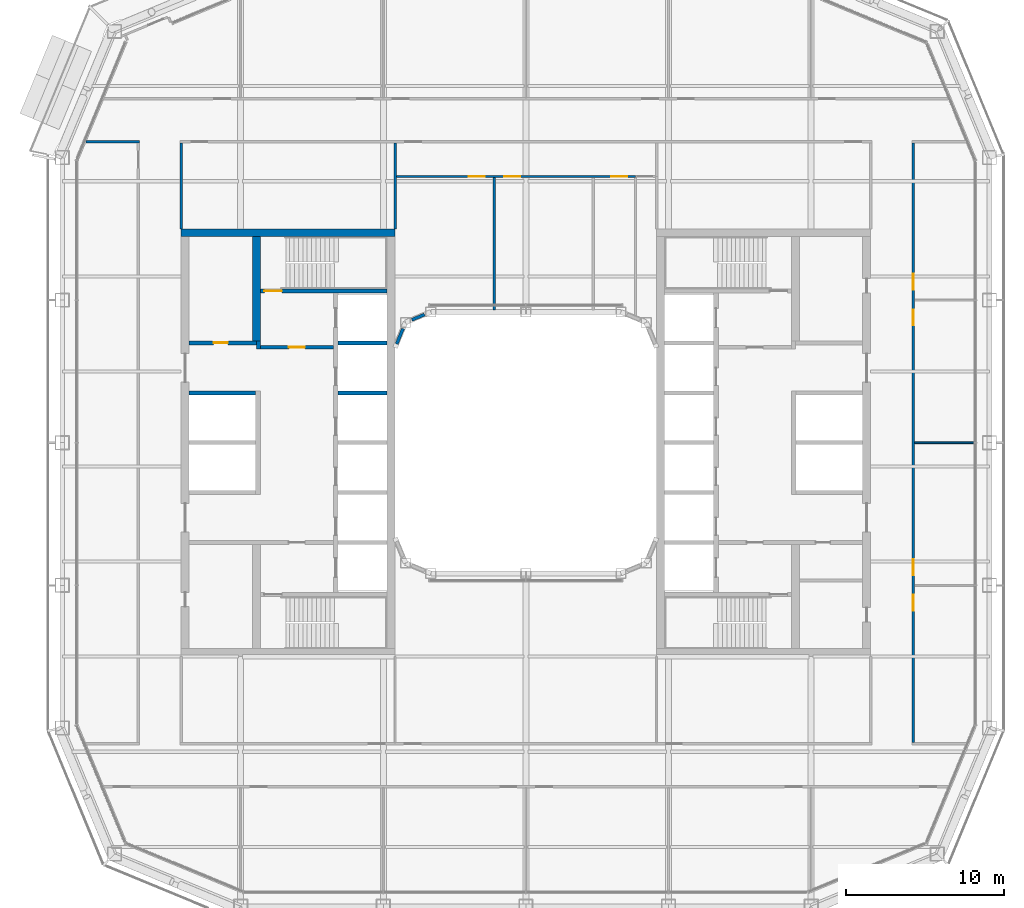
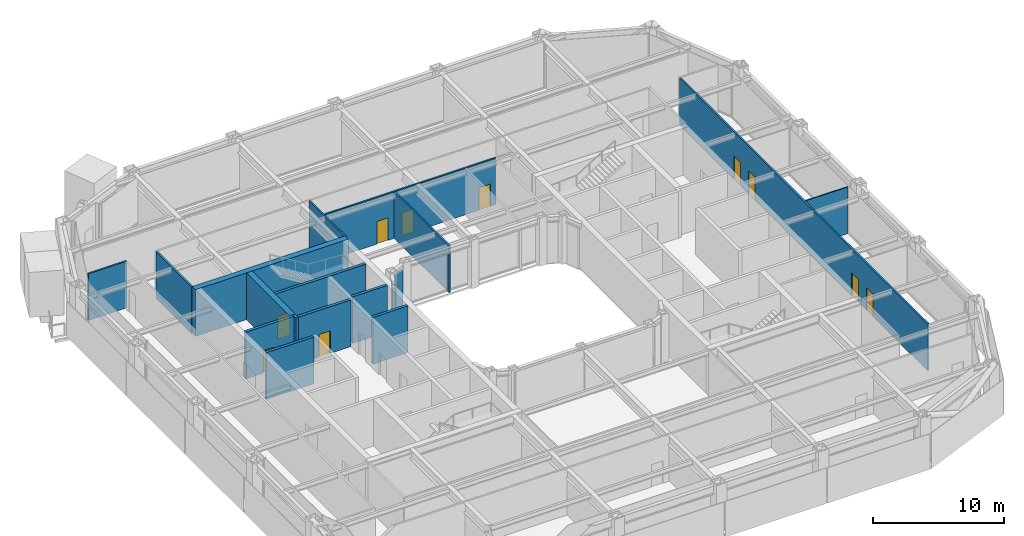
# One storey, part 13 of 23: 18 walls, 10 doors, 10 openings.
"""IFC4 building model written with IfcOpenShell, lengths in metres."""

from ifc_helpers import new_model, si_unit, direction, frame, frame_2d, origin, place, context, subcontext, project, spatial, rectangle, extrude, material, layer, layer_set, type_object, element, fill, save


model = new_model("IFC4")

# Units and contexts
model_context = context("Model", 3, precision=1e-05, world=origin(), true_north=direction((0.0, 1.0)))
body_context = subcontext(model_context, "Body", "Model", "MODEL_VIEW")
ifc_project = project(units=[si_unit("LENGTHUNIT", "METRE"), si_unit("AREAUNIT", "SQUARE_METRE"), si_unit("VOLUMEUNIT", "CUBIC_METRE"), si_unit("PLANEANGLEUNIT", "RADIAN"), si_unit("MASSUNIT", "GRAM", prefix="KILO")], contexts=[model_context])

# Site, building, storey
site_placement = place(None, origin())
site = spatial("IfcSite", under=ifc_project, at=site_placement, CompositionType="ELEMENT")
building_placement = place(site_placement, origin())
building = spatial("IfcBuilding", under=site, at=building_placement, Name="Siwar Civic Tower", CompositionType="ELEMENT")
storey_placement = place(building_placement, frame((0.0, 0.0, 172.199951171875)))
storey = spatial("IfcBuildingStorey", under=building, at=storey_placement, Name="L37", CompositionType="ELEMENT", Elevation=172.199951171875)

# Wall, opening, door
ifc_material_1 = material(Name="Concrete C60/75", Category="concrete")
ifc_layer_1 = layer(ifc_material_1, 0.25)
ifc_layer_set_1 = layer_set([ifc_layer_1], Name="Concrete C60/75")
wall_type_1 = type_object("IfcWallType", Name="CORE-WALL-RC250", PredefinedType="SHEAR", material=ifc_layer_set_1)
wall_1_placement = place(storey_placement, frame((-12.14990234375, 6.02490234375, 0.0), z_axis=(0.0, 0.0, 1.0), x_axis=(-1.0, 0.0, 0.0)))
wall_1 = element("IfcWall", 1, at=wall_1_placement, inside=storey, type_object=wall_type_1, Name="Core wall W", PredefinedType="SHEAR", context=body_context, shape_type="SweptSolid", body=[
    extrude(rectangle(XDim=4.60009765625, YDim=0.25, at=frame_2d((2.300048828125, 0.0))), origin(), (0.0, 0.0, 1.0), 4.35009765625),
])
opening_1_placement = place(wall_1_placement, frame((1.800048828125, 0.0, 0.0)))
opening_1 = element("IfcOpeningElement", 2, at=opening_1_placement, cuts=wall_1, Name="Opening L37-CW01", PredefinedType="OPENING", context=body_context, shape_type="SweptSolid", body=[
    extrude(rectangle(XDim=1.0, YDim=2.10009765625, at=frame_2d((0.5, 1.050048828125))), frame((0.0, 0.135009765625, 0.0), z_axis=(0.0, -1.0, 0.0), x_axis=(1.0, 0.0, 0.0)), (0.0, 0.0, 1.0), 0.27001953125),
])
ifc_material_2 = material(Name="Steel door leaf", Category="steel")
door_type_1 = type_object("IfcDoorType", Name="CORE-DOOR-FD30S", OperationType="SINGLE_SWING_LEFT", PredefinedType="DOOR", material=ifc_material_2)
door_1_placement = place(opening_1_placement, origin())
door_1 = element("IfcDoor", 3, at=door_1_placement, inside=storey, type_object=door_type_1, Name="Firefighting lobby door L37-CW01", OperationType="SINGLE_SWING_LEFT", OverallHeight=2.10009765625, OverallWidth=1.0, PredefinedType="DOOR", context=body_context, shape_type="SweptSolid", body=[
    extrude(rectangle(XDim=1.0, YDim=2.10009765625, at=frame_2d((0.5, 1.050048828125))), frame((0.0, 0.02490234375, 0.0), z_axis=(0.0, -1.0, 0.0), x_axis=(1.0, 0.0, 0.0)), (0.0, 0.0, 1.0), 0.050048828125),
])
fill(opening_1, door_1)

# Wall
wall_2_placement = place(storey_placement, frame((-16.875, 5.89990234375, 0.0), z_axis=(0.0, 0.0, 1.0), x_axis=(0.0, 1.0, 0.0)))
element("IfcWall", 4, at=wall_2_placement, inside=storey, type_object=wall_type_1, Name="Core wall W", PredefinedType="SHEAR", context=body_context, shape_type="SweptSolid", body=[
    extrude(rectangle(XDim=0.525146484375, YDim=0.25, at=frame_2d((0.2626953125, 0.0))), origin(), (0.0, 0.0, 1.0), 4.35009765625),
])

# Wall, opening, door
wall_3_placement = place(storey_placement, frame((-17.0, 6.300048828125, 0.0), z_axis=(0.0, 0.0, 1.0), x_axis=(-1.0, 0.0, 0.0)))
wall_3 = element("IfcWall", 5, at=wall_3_placement, inside=storey, type_object=wall_type_1, Name="Core wall W", PredefinedType="SHEAR", context=body_context, shape_type="SweptSolid", body=[
    extrude(rectangle(XDim=4.25, YDim=0.25, at=frame_2d((2.125, 0.0))), origin(), (0.0, 0.0, 1.0), 4.35009765625),
])
opening_2_placement = place(wall_3_placement, frame((1.800048828125, 0.0, 0.0)))
opening_2 = element("IfcOpeningElement", 6, at=opening_2_placement, cuts=wall_3, Name="Opening L37-CW13", PredefinedType="OPENING", context=body_context, shape_type="SweptSolid", body=[
    extrude(rectangle(XDim=0.89990234375, YDim=2.10009765625, at=frame_2d((0.449951171875, 1.050048828125))), frame((0.0, 0.135009765625, 0.0), z_axis=(0.0, -1.0, 0.0), x_axis=(1.0, 0.0, 0.0)), (0.0, 0.0, 1.0), 0.27001953125),
])
ifc_material_3 = material(Name="Steel door leaf", Category="steel")
door_type_2 = type_object("IfcDoorType", Name="CORE-DOOR-ROOM", OperationType="SINGLE_SWING_LEFT", PredefinedType="DOOR", material=ifc_material_3)
door_2_placement = place(opening_2_placement, origin())
door_2 = element("IfcDoor", 7, at=door_2_placement, inside=storey, type_object=door_type_2, Name="Core room door L37-CW13", OperationType="SINGLE_SWING_LEFT", OverallHeight=2.10009765625, OverallWidth=0.89990234375, PredefinedType="DOOR", context=body_context, shape_type="SweptSolid", body=[
    extrude(rectangle(XDim=0.89990234375, YDim=2.10009765625, at=frame_2d((0.449951171875, 1.050048828125))), frame((0.0, 0.02490234375, 0.0), z_axis=(0.0, -1.0, 0.0), x_axis=(1.0, 0.0, 0.0)), (0.0, 0.0, 1.0), 0.050048828125),
])
fill(opening_2, door_2)

# Walls
wall_4_placement = place(storey_placement, frame((-17.050048828125, 3.14990234375, 0.0), z_axis=(0.0, 0.0, 1.0), x_axis=(-1.0, 0.0, 0.0)))
element("IfcWall", 8, at=wall_4_placement, inside=storey, type_object=wall_type_1, Name="Core wall W", PredefinedType="SHEAR", context=body_context, shape_type="SweptSolid", body=[
    extrude(rectangle(XDim=4.199951171875, YDim=0.25, at=frame_2d((2.10009765625, 0.0))), origin(), (0.0, 0.0, 1.0), 4.35009765625),
])
for number, where, z_axis, x_axis, name in (
    (9, (-8.75, 3.14990234375, 0.0), (0.0, 0.0, 1.0), (-1.0, 0.0, 0.0), "Core wall W"),
    (10, (-8.75, 6.300048828125, 0.0), (0.0, 0.0, 1.0), (-1.0, 0.0, 0.0), "Core wall W"),
):
    element("IfcWall", number, at=place(storey_placement, frame(where, z_axis=z_axis, x_axis=x_axis)), inside=storey, type_object=wall_type_1, Name=name, PredefinedType="SHEAR", context=body_context, shape_type="SweptSolid", body=[
        extrude(rectangle(XDim=3.10009765625, YDim=0.25, at=frame_2d((1.550048828125, 0.0))), origin(), (0.0, 0.0, 1.0), 4.35009765625),
    ])

# Wall, opening, door
wall_5_placement = place(storey_placement, frame((-8.75, 9.574951171875, 0.0), z_axis=(0.0, 0.0, 1.0), x_axis=(-1.0, 0.0, 0.0)))
wall_5 = element("IfcWall", 11, at=wall_5_placement, inside=storey, type_object=wall_type_1, Name="Core wall W", PredefinedType="SHEAR", context=body_context, shape_type="SweptSolid", body=[
    extrude(rectangle(XDim=8.0, YDim=0.25, at=frame_2d((4.0, 0.0))), origin(), (0.0, 0.0, 1.0), 4.35009765625),
])
opening_3_placement = place(wall_5_placement, frame((6.64990234375, 0.0, 0.0)))
opening_3 = element("IfcOpeningElement", 12, at=opening_3_placement, cuts=wall_5, Name="Opening L37-CW03", PredefinedType="OPENING", context=body_context, shape_type="SweptSolid", body=[
    extrude(rectangle(XDim=1.10009765625, YDim=2.10009765625, at=frame_2d((0.550048828125, 1.050048828125))), frame((0.0, 0.135009765625, 0.0), z_axis=(0.0, -1.0, 0.0), x_axis=(1.0, 0.0, 0.0)), (0.0, 0.0, 1.0), 0.27001953125),
])
ifc_material_4 = material(Name="Steel door leaf", Category="steel")
door_type_3 = type_object("IfcDoorType", Name="CORE-DOOR-FD60S", OperationType="SINGLE_SWING_LEFT", PredefinedType="DOOR", material=ifc_material_4)
door_3_placement = place(opening_3_placement, origin())
door_3 = element("IfcDoor", 13, at=door_3_placement, inside=storey, type_object=door_type_3, Name="Stair door L37-CW03", OperationType="SINGLE_SWING_RIGHT", OverallHeight=2.10009765625, OverallWidth=1.10009765625, PredefinedType="DOOR", context=body_context, shape_type="SweptSolid", body=[
    extrude(rectangle(XDim=1.10009765625, YDim=2.10009765625, at=frame_2d((0.550048828125, 1.050048828125))), frame((0.0, 0.02490234375, 0.0), z_axis=(0.0, -1.0, 0.0), x_axis=(1.0, 0.0, 0.0)), (0.0, 0.0, 1.0), 0.050048828125),
])
fill(opening_3, door_3)

# Walls
ifc_material_5 = material(Name="Concrete C60/75", Category="concrete")
ifc_layer_2 = layer(ifc_material_5, 0.5)
ifc_layer_set_2 = layer_set([ifc_layer_2], Name="Concrete C60/75")
wall_type_2 = type_object("IfcWallType", Name="CORE-WALL-RC500", PredefinedType="SHEAR", material=ifc_layer_set_2)
wall_6_placement = place(storey_placement, frame((-17.0, 6.425048828125, 0.0), z_axis=(0.0, 0.0, 1.0), x_axis=(0.0, 1.0, 0.0)))
element("IfcWall", 14, at=wall_6_placement, inside=storey, type_object=wall_type_2, Name="Core wall W", PredefinedType="SHEAR", context=body_context, shape_type="SweptSolid", body=[
    extrude(rectangle(XDim=6.574951171875, YDim=0.5, at=frame_2d((3.28759765625, 0.0))), origin(), (0.0, 0.0, 1.0), 4.35009765625),
])
wall_7_placement = place(storey_placement, frame((-8.25, 13.25, 0.0), z_axis=(0.0, 0.0, 1.0), x_axis=(-1.0, 0.0, 0.0)))
element("IfcWall", 15, at=wall_7_placement, inside=storey, type_object=wall_type_2, Name="Core wall W", PredefinedType="SHEAR", context=body_context, shape_type="SweptSolid", body=[
    extrude(rectangle(XDim=13.5, YDim=0.5, at=frame_2d((6.75, 0.0))), origin(), (0.0, 0.0, 1.0), 4.35009765625),
])

# Wall, openings, doors
ifc_material_6 = material(Name="Gypsum board on steel studs", Category="steel")
ifc_layer_3 = layer(ifc_material_6, 0.14990234375)
ifc_layer_set_3 = layer_set([ifc_layer_3], Name="Gypsum board on steel studs")
wall_type_3 = type_object("IfcWallType", Name="CORRIDOR PARTITION 150 EI 30", PredefinedType="PARTITIONING", material=ifc_layer_set_3)
wall_8_placement = place(storey_placement, frame((-8.175048828125, 16.800048828125, 0.0), z_axis=(0.0, 0.0, 1.0), x_axis=(1.0, 0.0, 0.0)))
wall_8 = element("IfcWall", 16, at=wall_8_placement, inside=storey, type_object=wall_type_3, Name="L37/wall/P08", PredefinedType="PARTITIONING", context=body_context, shape_type="SweptSolid", body=[
    extrude(rectangle(XDim=15.094970703125, YDim=0.14990234375, at=frame_2d((7.54736328125, 0.0))), origin(), (0.0, 0.0, 1.0), 4.35009765625),
])
opening_4_placement = place(wall_8_placement, frame((4.574951171875, 0.0, 0.0)))
opening_4 = element("IfcOpeningElement", 17, at=opening_4_placement, cuts=wall_8, Name="Opening D3", PredefinedType="OPENING", context=body_context, shape_type="SweptSolid", body=[
    extrude(rectangle(XDim=1.0, YDim=2.10009765625, at=frame_2d((0.5, 1.050048828125))), frame((0.0, 0.0849609375, 0.0), z_axis=(0.0, -1.0, 0.0), x_axis=(1.0, 0.0, 0.0)), (0.0, 0.0, 1.0), 0.169921875),
])
opening_5_placement = place(wall_8_placement, frame((6.824951171875, 0.0, 0.0)))
opening_5 = element("IfcOpeningElement", 18, at=opening_5_placement, cuts=wall_8, Name="Opening D3", PredefinedType="OPENING", context=body_context, shape_type="SweptSolid", body=[
    extrude(rectangle(XDim=1.0, YDim=2.10009765625, at=frame_2d((0.5, 1.050048828125))), frame((0.0, 0.0849609375, 0.0), z_axis=(0.0, -1.0, 0.0), x_axis=(1.0, 0.0, 0.0)), (0.0, 0.0, 1.0), 0.169921875),
])
opening_6_placement = place(wall_8_placement, frame((13.574951171875, 0.0, 0.0)))
opening_6 = element("IfcOpeningElement", 19, at=opening_6_placement, cuts=wall_8, Name="Opening D3", PredefinedType="OPENING", context=body_context, shape_type="SweptSolid", body=[
    extrude(rectangle(XDim=1.0, YDim=2.10009765625, at=frame_2d((0.5, 1.050048828125))), frame((0.0, 0.0849609375, 0.0), z_axis=(0.0, -1.0, 0.0), x_axis=(1.0, 0.0, 0.0)), (0.0, 0.0, 1.0), 0.169921875),
])
ifc_material_7 = material(Name="Timber, painted", Category="wood")
door_type_4 = type_object("IfcDoorType", Name="DOOR 1000 X 2100 WC", OperationType="SINGLE_SWING_LEFT", PredefinedType="DOOR", material=ifc_material_7)
door_4_placement = place(opening_4_placement, origin())
door_4 = element("IfcDoor", 20, at=door_4_placement, inside=storey, type_object=door_type_4, Name="L37-D14", OperationType="SINGLE_SWING_RIGHT", OverallHeight=2.10009765625, OverallWidth=1.0, PredefinedType="DOOR", context=body_context, shape_type="SweptSolid", body=[
    extrude(rectangle(XDim=1.0, YDim=2.10009765625, at=frame_2d((0.5, 1.050048828125))), frame((0.0, 0.02490234375, 0.0), z_axis=(0.0, -1.0, 0.0), x_axis=(1.0, 0.0, 0.0)), (0.0, 0.0, 1.0), 0.050048828125),
])
fill(opening_4, door_4)
door_5_placement = place(opening_5_placement, origin())
door_5 = element("IfcDoor", 21, at=door_5_placement, inside=storey, type_object=door_type_4, Name="L37-D15", OperationType="SINGLE_SWING_LEFT", OverallHeight=2.10009765625, OverallWidth=1.0, PredefinedType="DOOR", context=body_context, shape_type="SweptSolid", body=[
    extrude(rectangle(XDim=1.0, YDim=2.10009765625, at=frame_2d((0.5, 1.050048828125))), frame((0.0, 0.02490234375, 0.0), z_axis=(0.0, -1.0, 0.0), x_axis=(1.0, 0.0, 0.0)), (0.0, 0.0, 1.0), 0.050048828125),
])
fill(opening_5, door_5)
door_6_placement = place(opening_6_placement, origin())
door_6 = element("IfcDoor", 22, at=door_6_placement, inside=storey, type_object=door_type_4, Name="L37-D16", OperationType="SINGLE_SWING_RIGHT", OverallHeight=2.10009765625, OverallWidth=1.0, PredefinedType="DOOR", context=body_context, shape_type="SweptSolid", body=[
    extrude(rectangle(XDim=1.0, YDim=2.10009765625, at=frame_2d((0.5, 1.050048828125))), frame((0.0, 0.02490234375, 0.0), z_axis=(0.0, -1.0, 0.0), x_axis=(1.0, 0.0, 0.0)), (0.0, 0.0, 1.0), 0.050048828125),
])
fill(opening_6, door_6)

# Walls
wall_9_placement = place(storey_placement, frame((-27.763916015625, 19.0, 0.0), z_axis=(0.0, 0.0, 1.0), x_axis=(1.0, 0.0, 0.0)))
element("IfcWall", 23, at=wall_9_placement, inside=storey, type_object=wall_type_3, Name="L37/wall/P10", PredefinedType="PARTITIONING", context=body_context, shape_type="SweptSolid", body=[
    extrude(rectangle(XDim=3.388916015625, YDim=0.14990234375, at=frame_2d((1.6943359375, 0.0))), origin(), (0.0, 0.0, 1.0), 4.35009765625),
])
for number, where, z_axis, x_axis, name in (
    (24, (-21.75, 13.5, 0.0), (0.0, 0.0, 1.0), (0.0, 1.0, 0.0), "L37/wall/P16"),
    (25, (-8.25, 13.5, 0.0), (0.0, 0.0, 1.0), (0.0, 1.0, 0.0), "L37/wall/P22"),
):
    element("IfcWall", number, at=place(storey_placement, frame(where, z_axis=z_axis, x_axis=x_axis)), inside=storey, type_object=wall_type_3, Name=name, PredefinedType="PARTITIONING", context=body_context, shape_type="SweptSolid", body=[
        extrude(rectangle(XDim=5.425048828125, YDim=0.14990234375, at=frame_2d((2.71240234375, 0.0))), origin(), (0.0, 0.0, 1.0), 4.35009765625),
    ])
wall_10_placement = place(storey_placement, frame((-2.0, 8.3701171875, 0.0), z_axis=(0.0, 0.0, 1.0), x_axis=(0.0, 1.0, 0.0)))
element("IfcWall", 26, at=wall_10_placement, inside=storey, type_object=wall_type_3, Name="L37/wall/P23", PredefinedType="PARTITIONING", context=body_context, shape_type="SweptSolid", body=[
    extrude(rectangle(XDim=8.35498046875, YDim=0.14990234375, at=frame_2d((4.177490234375, 0.0))), origin(), (0.0, 0.0, 1.0), 4.35009765625),
])

# Wall, openings, doors
wall_11_placement = place(storey_placement, frame((24.449951171875, -18.925048828125, 0.0), z_axis=(0.0, 0.0, 1.0), x_axis=(0.0, 1.0, 0.0)))
wall_11 = element("IfcWall", 27, at=wall_11_placement, inside=storey, type_object=wall_type_3, Name="L37/wall/P37", PredefinedType="PARTITIONING", context=body_context, shape_type="SweptSolid", body=[
    extrude(rectangle(XDim=37.85009765625, YDim=0.14990234375, at=frame_2d((18.925048828125, 0.0))), origin(), (0.0, 0.0, 1.0), 4.35009765625),
])
opening_7_placement = place(wall_11_placement, frame((8.324951171875, 0.0, 0.0)))
opening_7 = element("IfcOpeningElement", 28, at=opening_7_placement, cuts=wall_11, Name="Opening D1", PredefinedType="OPENING", context=body_context, shape_type="SweptSolid", body=[
    extrude(rectangle(XDim=1.0, YDim=2.10009765625, at=frame_2d((0.5, 1.050048828125))), frame((0.0, 0.0849609375, 0.0), z_axis=(0.0, -1.0, 0.0), x_axis=(1.0, 0.0, 0.0)), (0.0, 0.0, 1.0), 0.169921875),
])
opening_8_placement = place(wall_11_placement, frame((10.574951171875, 0.0, 0.0)))
opening_8 = element("IfcOpeningElement", 29, at=opening_8_placement, cuts=wall_11, Name="Opening D1", PredefinedType="OPENING", context=body_context, shape_type="SweptSolid", body=[
    extrude(rectangle(XDim=1.0, YDim=2.10009765625, at=frame_2d((0.5, 1.050048828125))), frame((0.0, 0.0849609375, 0.0), z_axis=(0.0, -1.0, 0.0), x_axis=(1.0, 0.0, 0.0)), (0.0, 0.0, 1.0), 0.169921875),
])
opening_9_placement = place(wall_11_placement, frame((26.324951171875, 0.0, 0.0)))
opening_9 = element("IfcOpeningElement", 30, at=opening_9_placement, cuts=wall_11, Name="Opening D1", PredefinedType="OPENING", context=body_context, shape_type="SweptSolid", body=[
    extrude(rectangle(XDim=1.0, YDim=2.10009765625, at=frame_2d((0.5, 1.050048828125))), frame((0.0, 0.0849609375, 0.0), z_axis=(0.0, -1.0, 0.0), x_axis=(1.0, 0.0, 0.0)), (0.0, 0.0, 1.0), 0.169921875),
])
opening_10_placement = place(wall_11_placement, frame((28.574951171875, 0.0, 0.0)))
opening_10 = element("IfcOpeningElement", 31, at=opening_10_placement, cuts=wall_11, Name="Opening D1", PredefinedType="OPENING", context=body_context, shape_type="SweptSolid", body=[
    extrude(rectangle(XDim=1.0, YDim=2.10009765625, at=frame_2d((0.5, 1.050048828125))), frame((0.0, 0.0849609375, 0.0), z_axis=(0.0, -1.0, 0.0), x_axis=(1.0, 0.0, 0.0)), (0.0, 0.0, 1.0), 0.169921875),
])
ifc_material_8 = material(Name="Timber, painted", Category="wood")
door_type_5 = type_object("IfcDoorType", Name="DOOR 1000 X 2100 FD30", OperationType="SINGLE_SWING_LEFT", PredefinedType="DOOR", material=ifc_material_8)
door_7_placement = place(opening_7_placement, origin())
door_7 = element("IfcDoor", 32, at=door_7_placement, inside=storey, type_object=door_type_5, Name="L37-D24", OperationType="SINGLE_SWING_RIGHT", OverallHeight=2.10009765625, OverallWidth=1.0, PredefinedType="DOOR", context=body_context, shape_type="SweptSolid", body=[
    extrude(rectangle(XDim=1.0, YDim=2.10009765625, at=frame_2d((0.5, 1.050048828125))), frame((0.0, 0.02490234375, 0.0), z_axis=(0.0, -1.0, 0.0), x_axis=(1.0, 0.0, 0.0)), (0.0, 0.0, 1.0), 0.050048828125),
])
fill(opening_7, door_7)
door_8_placement = place(opening_8_placement, origin())
door_8 = element("IfcDoor", 33, at=door_8_placement, inside=storey, type_object=door_type_5, Name="L37-D25", OperationType="SINGLE_SWING_LEFT", OverallHeight=2.10009765625, OverallWidth=1.0, PredefinedType="DOOR", context=body_context, shape_type="SweptSolid", body=[
    extrude(rectangle(XDim=1.0, YDim=2.10009765625, at=frame_2d((0.5, 1.050048828125))), frame((0.0, 0.02490234375, 0.0), z_axis=(0.0, -1.0, 0.0), x_axis=(1.0, 0.0, 0.0)), (0.0, 0.0, 1.0), 0.050048828125),
])
fill(opening_8, door_8)
door_9_placement = place(opening_9_placement, origin())
door_9 = element("IfcDoor", 34, at=door_9_placement, inside=storey, type_object=door_type_5, Name="L37-D26", OperationType="SINGLE_SWING_RIGHT", OverallHeight=2.10009765625, OverallWidth=1.0, PredefinedType="DOOR", context=body_context, shape_type="SweptSolid", body=[
    extrude(rectangle(XDim=1.0, YDim=2.10009765625, at=frame_2d((0.5, 1.050048828125))), frame((0.0, 0.02490234375, 0.0), z_axis=(0.0, -1.0, 0.0), x_axis=(1.0, 0.0, 0.0)), (0.0, 0.0, 1.0), 0.050048828125),
])
fill(opening_9, door_9)
door_10_placement = place(opening_10_placement, origin())
door_10 = element("IfcDoor", 35, at=door_10_placement, inside=storey, type_object=door_type_5, Name="L37-D27", OperationType="SINGLE_SWING_LEFT", OverallHeight=2.10009765625, OverallWidth=1.0, PredefinedType="DOOR", context=body_context, shape_type="SweptSolid", body=[
    extrude(rectangle(XDim=1.0, YDim=2.10009765625, at=frame_2d((0.5, 1.050048828125))), frame((0.0, 0.02490234375, 0.0), z_axis=(0.0, -1.0, 0.0), x_axis=(1.0, 0.0, 0.0)), (0.0, 0.0, 1.0), 0.050048828125),
])
fill(opening_10, door_10)

# Walls
ifc_material_9 = material(Name="Aluminium clad insulated panel", Category="aluminium")
ifc_layer_4 = layer(ifc_material_9, 0.199951171875)
ifc_layer_set_4 = layer_set([ifc_layer_4], Name="Aluminium clad insulated panel")
wall_type_4 = type_object("IfcWallType", Name="ENV-WALL-WELL", PredefinedType="STANDARD", material=ifc_layer_set_4)
wall_12_placement = place(storey_placement, frame((-6.392333984375, 8.08740234375, 0.0), z_axis=(0.0, 0.0, 1.0), x_axis=(-0.923894108428, -0.382648241093, 0.0)))
element("IfcWall", 36, at=wall_12_placement, inside=storey, type_object=wall_type_4, Name="Light well corner wall NW1", PredefinedType="STANDARD", context=body_context, shape_type="SweptSolid", body=[
    extrude(rectangle(XDim=0.872802734375, YDim=0.199951171875, at=frame_2d((0.4365234375, 0.0))), origin(), (0.0, 0.0, 1.0), 3.825927734375),
])
wall_13_placement = place(storey_placement, frame((-7.75341796875, 7.19873046875, 0.0), z_axis=(0.0, 0.0, 1.0), x_axis=(-0.382694858887, -0.923874799408, 0.0)))
element("IfcWall", 37, at=wall_13_placement, inside=storey, type_object=wall_type_4, Name="Light well corner wall NW2", PredefinedType="STANDARD", context=body_context, shape_type="SweptSolid", body=[
    extrude(rectangle(XDim=1.047607421875, YDim=0.199951171875, at=frame_2d((0.52392578125, 0.0))), origin(), (0.0, 0.0, 1.0), 3.825927734375),
])
ifc_material_10 = material(Name="Gypsum board on steel studs", Category="steel")
ifc_layer_5 = layer(ifc_material_10, 0.10009765625)
ifc_layer_set_5 = layer_set([ifc_layer_5], Name="Gypsum board on steel studs")
wall_type_5 = type_object("IfcWallType", Name="PARTITION 100 GYPSUM", PredefinedType="PARTITIONING", material=ifc_layer_set_5)
wall_14_placement = place(storey_placement, frame((24.52490234375, 0.0, 0.0), z_axis=(0.0, 0.0, 1.0), x_axis=(1.0, 0.0, 0.0)))
element("IfcWall", 38, at=wall_14_placement, inside=storey, type_object=wall_type_5, Name="L37/wall/P06", PredefinedType="PARTITIONING", context=body_context, shape_type="SweptSolid", body=[
    extrude(rectangle(XDim=3.735107421875, YDim=0.10009765625, at=frame_2d((1.86767578125, 0.0))), origin(), (0.0, 0.0, 1.0), 4.35009765625),
])

save(model, "model.ifc")
